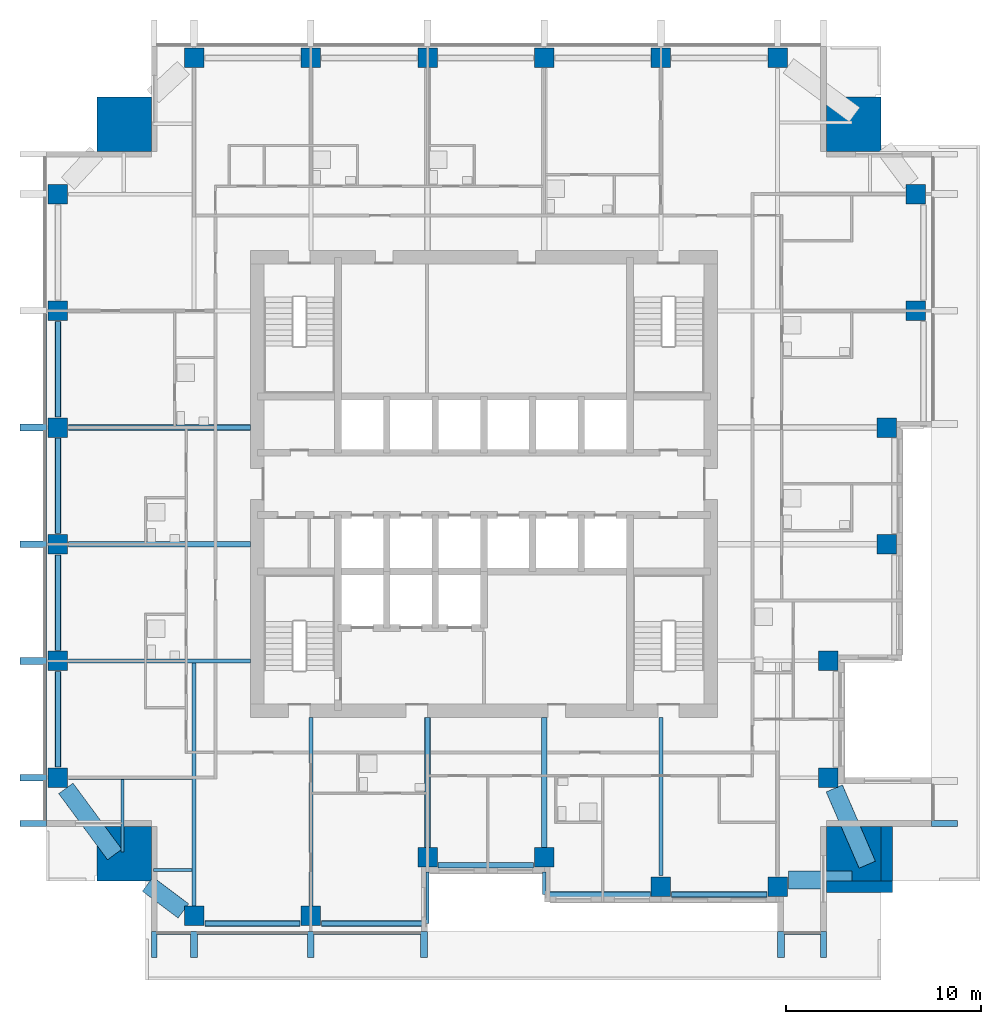
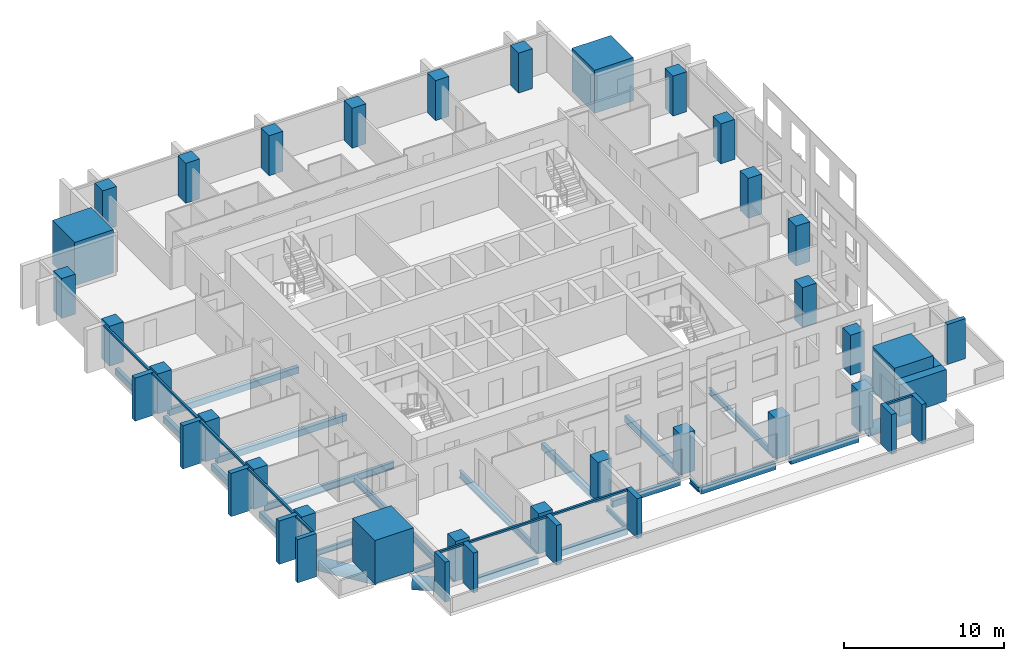
# One storey, part 1 of 14: 30 columns, 26 beams, 21 members, 4 elements without a shape of their own.
"""IFC4 building model written with IfcOpenShell, lengths in metres."""

from ifc_helpers import new_model, si_unit, direction, frame, origin, origin_2d, place, context, subcontext, project, spatial, rectangle, hollow_rectangle, hollow_circle, i_section, extrude, material, material_profile, profile_set, type_object, element, aggregate, save


model = new_model("IFC4")

# Units and contexts
model_context = context("Model", 3, precision=1e-05, world=origin(), true_north=direction((0.0, 1.0)))
body_context = subcontext(model_context, "Body", "Model", "MODEL_VIEW")
ifc_project = project(units=[si_unit("LENGTHUNIT", "METRE"), si_unit("AREAUNIT", "SQUARE_METRE"), si_unit("VOLUMEUNIT", "CUBIC_METRE"), si_unit("PLANEANGLEUNIT", "RADIAN"), si_unit("MASSUNIT", "GRAM", prefix="KILO")], contexts=[model_context])

# Site, building, storey
site_placement = place(None, origin())
site = spatial("IfcSite", under=ifc_project, at=site_placement, CompositionType="ELEMENT")
building_placement = place(site_placement, origin())
building = spatial("IfcBuilding", under=site, at=building_placement, Name="Amberfall Residences", CompositionType="ELEMENT")
storey_placement = place(building_placement, frame((0.0, 0.0, 133.89990234375)))
storey = spatial("IfcBuildingStorey", under=building, at=storey_placement, Name="L35", CompositionType="ELEMENT", Elevation=133.89990234375)

# Columns
ifc_material_1 = material(Name="Concrete C60", Category="concrete")
ifc_material_profile_1 = material_profile(ifc_material_1, rectangle(XDim=1.0, YDim=1.0, at=origin_2d()), Name="Column 1000 x 1000 C60")
ifc_profile_set_1 = profile_set([ifc_material_profile_1], Name="Concrete C60")
column_type_1 = type_object("IfcColumnType", Name="Column 1000 x 1000 C60", PredefinedType="COLUMN", material=ifc_profile_set_1)
for number, where, z_axis, x_axis, name in (
    (1, (59.60009765625, 23.300048828125, 0.0), (0.0, 0.0, 1.0), (1.0, 0.0, 0.0), "Column C3 L35 S1"),
    (2, (65.60009765625, 23.300048828125, 0.0), (0.0, 0.0, 1.0), (1.0, 0.0, 0.0), "Column C3 L35 S2"),
    (3, (71.60009765625, 26.300048828125, 0.0), (0.0, 0.0, 1.0), (1.0, 0.0, 0.0), "Column C3 L35 S3"),
    (4, (77.60009765625, 26.300048828125, 0.0), (0.0, 0.0, 1.0), (1.0, 0.0, 0.0), "Column C3 L35 S4"),
    (5, (83.60009765625, 24.800048828125, 0.0), (0.0, 0.0, 1.0), (1.0, 0.0, 0.0), "Column C3 L35 S5"),
    (6, (89.60009765625, 24.800048828125, 0.0), (0.0, 0.0, 1.0), (1.0, 0.0, 0.0), "Column C3 L35 S6"),
    (7, (92.199951171875, 30.39990234375, 0.0), (0.0, 0.0, 1.0), (1.0, 0.0, 0.0), "Column C3 L35 E1"),
    (8, (92.199951171875, 36.39990234375, 0.0), (0.0, 0.0, 1.0), (1.0, 0.0, 0.0), "Column C3 L35 E2"),
    (9, (95.199951171875, 42.39990234375, 0.0), (0.0, 0.0, 1.0), (1.0, 0.0, 0.0), "Column C3 L35 E3"),
    (10, (95.199951171875, 48.39990234375, 0.0), (0.0, 0.0, 1.0), (1.0, 0.0, 0.0), "Column C3 L35 E4"),
    (11, (96.699951171875, 54.39990234375, 0.0), (0.0, 0.0, 1.0), (1.0, 0.0, 0.0), "Column C3 L35 E5"),
    (12, (96.699951171875, 60.39990234375, 0.0), (0.0, 0.0, 1.0), (1.0, 0.0, 0.0), "Column C3 L35 E6"),
    (13, (59.60009765625, 67.39990234375, 0.0), (0.0, 0.0, 1.0), (1.0, 0.0, 0.0), "Column C3 L35 N1"),
    (14, (65.60009765625, 67.39990234375, 0.0), (0.0, 0.0, 1.0), (1.0, 0.0, 0.0), "Column C3 L35 N2"),
    (15, (71.60009765625, 67.39990234375, 0.0), (0.0, 0.0, 1.0), (1.0, 0.0, 0.0), "Column C3 L35 N3"),
    (16, (77.60009765625, 67.39990234375, 0.0), (0.0, 0.0, 1.0), (1.0, 0.0, 0.0), "Column C3 L35 N4"),
    (17, (83.60009765625, 67.39990234375, 0.0), (0.0, 0.0, 1.0), (1.0, 0.0, 0.0), "Column C3 L35 N5"),
    (18, (89.60009765625, 67.39990234375, 0.0), (0.0, 0.0, 1.0), (1.0, 0.0, 0.0), "Column C3 L35 N6"),
    (19, (52.60009765625, 30.39990234375, 0.0), (0.0, 0.0, 1.0), (1.0, 0.0, 0.0), "Column C3 L35 W1"),
    (20, (52.60009765625, 36.39990234375, 0.0), (0.0, 0.0, 1.0), (1.0, 0.0, 0.0), "Column C3 L35 W2"),
    (21, (52.60009765625, 42.39990234375, 0.0), (0.0, 0.0, 1.0), (1.0, 0.0, 0.0), "Column C3 L35 W3"),
    (22, (52.60009765625, 48.39990234375, 0.0), (0.0, 0.0, 1.0), (1.0, 0.0, 0.0), "Column C3 L35 W4"),
    (23, (52.60009765625, 54.39990234375, 0.0), (0.0, 0.0, 1.0), (1.0, 0.0, 0.0), "Column C3 L35 W5"),
    (24, (52.60009765625, 60.39990234375, 0.0), (0.0, 0.0, 1.0), (1.0, 0.0, 0.0), "Column C3 L35 W6"),
):
    element("IfcColumn", number, at=place(storey_placement, frame(where, z_axis=z_axis, x_axis=x_axis)), inside=storey, type_object=column_type_1, Name=name, PredefinedType="COLUMN", context=body_context, shape_type="SweptSolid", body=[
        extrude(rectangle(XDim=1.0, YDim=1.0, at=origin_2d()), origin(), (0.0, 0.0, 1.0), 3.050048828125),
    ])
ifc_material_2 = material(Name="Concrete C50", Category="concrete")
ifc_material_profile_2 = material_profile(ifc_material_2, rectangle(XDim=3.39990234375, YDim=0.60009765625, at=origin_2d()), Name="Mega collar 3400 x 600 C50")
ifc_profile_set_2 = profile_set([ifc_material_profile_2], Name="Concrete C50")
column_type_2 = type_object("IfcColumnType", Name="Mega collar 3400 x 600 C50", PredefinedType="COLUMN", material=ifc_profile_set_2)
column_1_placement = place(storey_placement, frame((93.800048828125, 24.800048828125, 0.0), z_axis=(0.0, 0.0, 1.0), x_axis=(1.0, 0.0, 0.0)))
element("IfcColumn", 25, at=column_1_placement, inside=storey, type_object=column_type_2, Name="Mega collar MC6 L35 SE a", PredefinedType="COLUMN", context=body_context, shape_type="SweptSolid", body=[
    extrude(rectangle(XDim=3.39990234375, YDim=0.60009765625, at=origin_2d()), origin(), (0.0, 0.0, 1.0), 2.400146484375),
])
ifc_material_profile_3 = material_profile(ifc_material_2, rectangle(XDim=0.60009765625, YDim=2.800048828125, at=origin_2d()), Name="Mega collar 600 x 2800 C50")
ifc_profile_set_3 = profile_set([ifc_material_profile_3], Name="Concrete C50")
column_type_3 = type_object("IfcColumnType", Name="Mega collar 600 x 2800 C50", PredefinedType="COLUMN", material=ifc_profile_set_3)
column_2_placement = place(storey_placement, frame((95.199951171875, 26.5, 0.0), z_axis=(0.0, 0.0, 1.0), x_axis=(1.0, 0.0, 0.0)))
element("IfcColumn", 26, at=column_2_placement, inside=storey, type_object=column_type_3, Name="Mega collar MC7 L35 SE b", PredefinedType="COLUMN", context=body_context, shape_type="SweptSolid", body=[
    extrude(rectangle(XDim=0.60009765625, YDim=2.800048828125, at=origin_2d()), origin(), (0.0, 0.0, 1.0), 2.400146484375),
])
ifc_material_profile_4 = material_profile(ifc_material_1, rectangle(XDim=2.800048828125, YDim=2.800048828125, at=origin_2d()), Name="Mega column 2800 x 2800 C60")
ifc_profile_set_4 = profile_set([ifc_material_profile_4], Name="Concrete C60")
column_type_4 = type_object("IfcColumnType", Name="Mega column 2800 x 2800 C60", PredefinedType="COLUMN", material=ifc_profile_set_4)
for number, where, z_axis, x_axis, name in (
    (27, (56.0, 26.5, 0.0), (0.0, 0.0, 1.0), (1.0, 0.0, 0.0), "Mega column MC5 L35 SW"),
    (28, (93.5, 26.5, 0.0), (0.0, 0.0, 1.0), (1.0, 0.0, 0.0), "Mega column MC5 L35 SE"),
    (29, (93.5, 64.0, 0.0), (0.0, 0.0, 1.0), (1.0, 0.0, 0.0), "Mega column MC5 L35 NE"),
    (30, (56.0, 64.0, 0.0), (0.0, 0.0, 1.0), (1.0, 0.0, 0.0), "Mega column MC5 L35 NW"),
):
    element("IfcColumn", number, at=place(storey_placement, frame(where, z_axis=z_axis, x_axis=x_axis)), inside=storey, type_object=column_type_4, Name=name, PredefinedType="COLUMN", context=body_context, shape_type="SweptSolid", body=[
        extrude(rectangle(XDim=2.800048828125, YDim=2.800048828125, at=origin_2d()), origin(), (0.0, 0.0, 1.0), 3.300048828125),
    ])

# Beams
ifc_material_3 = material(Name="Steel S355", Category="steel")
ifc_material_profile_5 = material_profile(ifc_material_3, hollow_circle(Radius=0.457275390625, WallThickness=0.06005859375, at=origin_2d()), Name="CHS 914.4x60")
ifc_profile_set_5 = profile_set([ifc_material_profile_5], Name="Steel S355")
beam_type_1 = type_object("IfcBeamType", Name="Belt truss chord BT CHS 914.4x60", PredefinedType="BEAM", material=ifc_profile_set_5)
beam_1_placement = place(storey_placement, frame((57.2119140625, 24.92724609375, -0.70703125), z_axis=(0.799987249325, -0.600017000523, 0.0), x_axis=(0.600017000523, 0.799987249325, 0.0)))
element("IfcBeam", 31, at=beam_1_placement, inside=storey, type_object=beam_type_1, Name="Belt truss chord BT BT2 L35 49", PredefinedType="BEAM", context=body_context, shape_type="SweptSolid", body=[
    extrude(hollow_circle(Radius=0.457275390625, WallThickness=0.06005859375, at=origin_2d()), origin(), (0.0, 0.0, 1.0), 2.297607421875),
])
beam_2_placement = place(storey_placement, frame((55.517333984375, 26.4501953125, -0.70703125), z_axis=(-0.594124680474, 0.804372963278, 0.0), x_axis=(-0.804372963278, -0.594124680474, 0.0)))
element("IfcBeam", 32, at=beam_2_placement, inside=storey, type_object=beam_type_1, Name="Belt truss chord BT BT2 L35 50", PredefinedType="BEAM", context=body_context, shape_type="SweptSolid", body=[
    extrude(hollow_circle(Radius=0.457275390625, WallThickness=0.06005859375, at=origin_2d()), origin(), (0.0, 0.0, 1.0), 4.226806640625),
])
beam_3_placement = place(storey_placement, frame((93.4228515625, 25.14453125, -0.70703125), z_axis=(-1.0, 0.0, 0.0), x_axis=(0.0, -1.0, 0.0)))
element("IfcBeam", 33, at=beam_3_placement, inside=storey, type_object=beam_type_1, Name="Belt truss chord BT BT2 L35 51", PredefinedType="BEAM", context=body_context, shape_type="SweptSolid", body=[
    extrude(hollow_circle(Radius=0.457275390625, WallThickness=0.06005859375, at=origin_2d()), origin(), (0.0, 0.0, 1.0), 3.27294921875),
])
beam_4_placement = place(storey_placement, frame((94.20458984375, 25.926513671875, -0.70703125), z_axis=(-0.39668874553, 0.917953179182, 0.0), x_axis=(-0.917953179182, -0.39668874553, 0.0)))
element("IfcBeam", 34, at=beam_4_placement, inside=storey, type_object=beam_type_1, Name="Belt truss chord BT BT2 L35 52", PredefinedType="BEAM", context=body_context, shape_type="SweptSolid", body=[
    extrude(hollow_circle(Radius=0.457275390625, WallThickness=0.06005859375, at=origin_2d()), origin(), (0.0, 0.0, 1.0), 4.274169921875),
])
ifc_material_profile_6 = material_profile(ifc_material_3, hollow_rectangle(XDim=0.300048828125, YDim=0.5, WallThickness=0.01611328125, InnerFilletRadius=0.01611328125, OuterFilletRadius=0.02392578125, at=origin_2d()), Name="RHS 500x300x16")
ifc_profile_set_6 = profile_set([ifc_material_profile_6], Name="Steel S355")
beam_type_2 = type_object("IfcBeamType", Name="Belt truss chord BT RHS 500x300x16", PredefinedType="BEAM", material=ifc_profile_set_6)
beam_5_placement = place(storey_placement, frame((60.14990234375, 22.89990234375, -0.5), z_axis=(1.0, 0.0, 0.0), x_axis=(0.0, 1.0, 0.0)))
element("IfcBeam", 35, at=beam_5_placement, inside=storey, type_object=beam_type_2, Name="Belt truss chord BT BT1 L35 01", PredefinedType="BEAM", context=body_context, shape_type="SweptSolid", body=[
    extrude(hollow_rectangle(XDim=0.300048828125, YDim=0.5, WallThickness=0.01611328125, InnerFilletRadius=0.01611328125, OuterFilletRadius=0.02392578125, at=origin_2d()), origin(), (0.0, 0.0, 1.0), 4.900146484375),
])
beam_6_placement = place(storey_placement, frame((66.14990234375, 22.89990234375, -0.5), z_axis=(1.0, 0.0, 0.0), x_axis=(0.0, 1.0, 0.0)))
element("IfcBeam", 36, at=beam_6_placement, inside=storey, type_object=beam_type_2, Name="Belt truss chord BT BT1 L35 02", PredefinedType="BEAM", context=body_context, shape_type="SweptSolid", body=[
    extrude(hollow_rectangle(XDim=0.300048828125, YDim=0.5, WallThickness=0.01611328125, InnerFilletRadius=0.01611328125, OuterFilletRadius=0.02392578125, at=origin_2d()), origin(), (0.0, 0.0, 1.0), 5.3701171875),
])
beam_7_placement = place(storey_placement, frame((72.14990234375, 25.89990234375, -0.5), z_axis=(1.0, 0.0, 0.0), x_axis=(0.0, 1.0, 0.0)))
element("IfcBeam", 37, at=beam_7_placement, inside=storey, type_object=beam_type_2, Name="Belt truss chord BT BT1 L35 03", PredefinedType="BEAM", context=body_context, shape_type="SweptSolid", body=[
    extrude(hollow_rectangle(XDim=0.300048828125, YDim=0.5, WallThickness=0.01611328125, InnerFilletRadius=0.01611328125, OuterFilletRadius=0.02392578125, at=origin_2d()), origin(), (0.0, 0.0, 1.0), 4.900146484375),
])
beam_8_placement = place(storey_placement, frame((77.679931640625, 24.39990234375, -0.5), z_axis=(1.0, 0.0, 0.0), x_axis=(0.0, 1.0, 0.0)))
element("IfcBeam", 38, at=beam_8_placement, inside=storey, type_object=beam_type_2, Name="Belt truss chord BT BT1 L35 04", PredefinedType="BEAM", context=body_context, shape_type="SweptSolid", body=[
    extrude(hollow_rectangle(XDim=0.300048828125, YDim=0.5, WallThickness=0.01611328125, InnerFilletRadius=0.01611328125, OuterFilletRadius=0.02392578125, at=origin_2d()), origin(), (0.0, 0.0, 1.0), 5.3701171875),
])
for number, where, z_axis, x_axis, name in (
    (39, (84.14990234375, 24.39990234375, -0.5), (1.0, 0.0, 0.0), (0.0, 1.0, 0.0), "Belt truss chord BT BT1 L35 05"),
    (40, (52.60009765625, 30.949951171875, -0.5), (0.0, 1.0, 0.0), (-1.0, 0.0, 0.0), "Belt truss chord BT BT1 L35 38"),
    (41, (52.60009765625, 36.949951171875, -0.5), (0.0, 1.0, 0.0), (-1.0, 0.0, 0.0), "Belt truss chord BT BT1 L35 39"),
    (42, (52.60009765625, 42.949951171875, -0.5), (0.0, 1.0, 0.0), (-1.0, 0.0, 0.0), "Belt truss chord BT BT1 L35 40"),
    (43, (52.60009765625, 48.949951171875, -0.5), (0.0, 1.0, 0.0), (-1.0, 0.0, 0.0), "Belt truss chord BT BT1 L35 41"),
):
    element("IfcBeam", number, at=place(storey_placement, frame(where, z_axis=z_axis, x_axis=x_axis)), inside=storey, type_object=beam_type_2, Name=name, PredefinedType="BEAM", context=body_context, shape_type="SweptSolid", body=[
        extrude(hollow_rectangle(XDim=0.300048828125, YDim=0.5, WallThickness=0.01611328125, InnerFilletRadius=0.01611328125, OuterFilletRadius=0.02392578125, at=origin_2d()), origin(), (0.0, 0.0, 1.0), 4.900146484375),
    ])

# Curtain wall, members
ifc_material_4 = material(Name="Bronze anodised aluminium and glass", Category="aluminium")
curtain_wall_type = type_object("IfcCurtainWallType", Name="Curtain wall CW1 tower unit", PredefinedType="USERDEFINED", material=ifc_material_4)
curtain_wall_1_placement = place(storey_placement, origin())
curtain_wall_1 = element("IfcCurtainWall", 44, at=curtain_wall_1_placement, inside=storey, type_object=curtain_wall_type, Name="Curtain wall L35 S S1", ObjectType="UNITISED CURTAIN WALL", PredefinedType="USERDEFINED")
ifc_material_5 = material(Name="Bronze anodised aluminium", Category="aluminium")
ifc_material_profile_7 = material_profile(ifc_material_5, rectangle(XDim=0.14990234375, YDim=0.14990234375, at=origin_2d()), Name="CW1 transom 150 x 150 bronze")
ifc_profile_set_7 = profile_set([ifc_material_profile_7], Name="Bronze anodised aluminium")
member_type_1 = type_object("IfcMemberType", Name="CW1 transom 150 x 150 bronze", PredefinedType="USERDEFINED", material=ifc_profile_set_7)
member_1_placement = place(storey_placement, frame((57.699951171875, 22.425048828125, 2.97509765625), z_axis=(1.0, 0.0, 0.0), x_axis=(0.0, 1.0, 0.0)))
member_1 = element("IfcMember", 45, at=member_1_placement, type_object=member_type_1, Name="CW1 transom 1.1", ObjectType="TRANSOM", PredefinedType="USERDEFINED", context=body_context, shape_type="SweptSolid", body=[
    extrude(rectangle(XDim=0.14990234375, YDim=0.14990234375, at=origin_2d()), origin(), (0.0, 0.0, 1.0), 1.72509765625),
])
member_2_placement = place(storey_placement, frame((59.77490234375, 22.425048828125, 2.97509765625), z_axis=(1.0, 0.0, 0.0), x_axis=(0.0, 1.0, 0.0)))
member_2 = element("IfcMember", 46, at=member_2_placement, type_object=member_type_1, Name="CW1 transom 2.1", ObjectType="TRANSOM", PredefinedType="USERDEFINED", context=body_context, shape_type="SweptSolid", body=[
    extrude(rectangle(XDim=0.14990234375, YDim=0.14990234375, at=origin_2d()), origin(), (0.0, 0.0, 1.0), 5.650146484375),
])
member_3_placement = place(storey_placement, frame((65.77490234375, 22.425048828125, 2.97509765625), z_axis=(1.0, 0.0, 0.0), x_axis=(0.0, 1.0, 0.0)))
member_3 = element("IfcMember", 47, at=member_3_placement, type_object=member_type_1, Name="CW1 transom 3.1", ObjectType="TRANSOM", PredefinedType="USERDEFINED", context=body_context, shape_type="SweptSolid", body=[
    extrude(rectangle(XDim=0.14990234375, YDim=0.14990234375, at=origin_2d()), origin(), (0.0, 0.0, 1.0), 5.47509765625),
])

# Curtain wall, member
curtain_wall_2_placement = place(storey_placement, origin())
curtain_wall_2 = element("IfcCurtainWall", 48, at=curtain_wall_2_placement, inside=storey, type_object=curtain_wall_type, Name="Curtain wall L35 S S8", ObjectType="UNITISED CURTAIN WALL", PredefinedType="USERDEFINED")
member_4_placement = place(storey_placement, frame((89.949951171875, 22.425048828125, 2.97509765625), z_axis=(1.0, 0.0, 0.0), x_axis=(0.0, 1.0, 0.0)))
member_4 = element("IfcMember", 49, at=member_4_placement, type_object=member_type_1, Name="CW1 transom 1.1", ObjectType="TRANSOM", PredefinedType="USERDEFINED", context=body_context, shape_type="SweptSolid", body=[
    extrude(rectangle(XDim=0.14990234375, YDim=0.14990234375, at=origin_2d()), origin(), (0.0, 0.0, 1.0), 1.85009765625),
])

# Curtain wall, members
curtain_wall_3_placement = place(storey_placement, origin())
curtain_wall_3 = element("IfcCurtainWall", 50, at=curtain_wall_3_placement, inside=storey, type_object=curtain_wall_type, Name="Curtain wall L35 W W1", ObjectType="UNITISED CURTAIN WALL", PredefinedType="USERDEFINED")
member_5_placement = place(storey_placement, frame((51.925048828125, 54.22509765625, 2.97509765625), z_axis=(0.0, -1.0, 0.0), x_axis=(1.0, 0.0, 0.0)))
member_5 = element("IfcMember", 51, at=member_5_placement, type_object=member_type_1, Name="CW1 transom 3.1", ObjectType="TRANSOM", PredefinedType="USERDEFINED", context=body_context, shape_type="SweptSolid", body=[
    extrude(rectangle(XDim=0.14990234375, YDim=0.14990234375, at=origin_2d()), origin(), (0.0, 0.0, 1.0), 5.650146484375),
])
member_6_placement = place(storey_placement, frame((51.925048828125, 48.22509765625, 2.97509765625), z_axis=(0.0, -1.0, 0.0), x_axis=(1.0, 0.0, 0.0)))
member_6 = element("IfcMember", 52, at=member_6_placement, type_object=member_type_1, Name="CW1 transom 4.1", ObjectType="TRANSOM", PredefinedType="USERDEFINED", context=body_context, shape_type="SweptSolid", body=[
    extrude(rectangle(XDim=0.14990234375, YDim=0.14990234375, at=origin_2d()), origin(), (0.0, 0.0, 1.0), 5.650146484375),
])
member_7_placement = place(storey_placement, frame((51.925048828125, 42.22509765625, 2.97509765625), z_axis=(0.0, -1.0, 0.0), x_axis=(1.0, 0.0, 0.0)))
member_7 = element("IfcMember", 53, at=member_7_placement, type_object=member_type_1, Name="CW1 transom 5.1", ObjectType="TRANSOM", PredefinedType="USERDEFINED", context=body_context, shape_type="SweptSolid", body=[
    extrude(rectangle(XDim=0.14990234375, YDim=0.14990234375, at=origin_2d()), origin(), (0.0, 0.0, 1.0), 5.650146484375),
])
member_8_placement = place(storey_placement, frame((51.925048828125, 36.22509765625, 2.97509765625), z_axis=(0.0, -1.0, 0.0), x_axis=(1.0, 0.0, 0.0)))
member_8 = element("IfcMember", 54, at=member_8_placement, type_object=member_type_1, Name="CW1 transom 6.1", ObjectType="TRANSOM", PredefinedType="USERDEFINED", context=body_context, shape_type="SweptSolid", body=[
    extrude(rectangle(XDim=0.14990234375, YDim=0.14990234375, at=origin_2d()), origin(), (0.0, 0.0, 1.0), 5.650146484375),
])
member_9_placement = place(storey_placement, frame((51.925048828125, 30.22509765625, 2.97509765625), z_axis=(0.0, -1.0, 0.0), x_axis=(1.0, 0.0, 0.0)))
member_9 = element("IfcMember", 55, at=member_9_placement, type_object=member_type_1, Name="CW1 transom 7.1", ObjectType="TRANSOM", PredefinedType="USERDEFINED", context=body_context, shape_type="SweptSolid", body=[
    extrude(rectangle(XDim=0.14990234375, YDim=0.14990234375, at=origin_2d()), origin(), (0.0, 0.0, 1.0), 2.025146484375),
])

# Beams
ifc_material_profile_8 = material_profile(ifc_material_3, i_section(OverallWidth=0.171142578125, OverallDepth=0.351318359375, WebThickness=0.007080078125, FlangeThickness=0.009765625, FilletRadius=0.01025390625, at=origin_2d()), Name="UB 356x171x45")
ifc_profile_set_8 = profile_set([ifc_material_profile_8], Name="Steel S355")
beam_type_3 = type_object("IfcBeamType", Name="Cantilever girder UB 356x171x45", PredefinedType="BEAM", material=ifc_profile_set_8)
beam_9_placement = place(storey_placement, frame((71.60009765625, 25.55322265625, -0.425537109375), z_axis=(0.0, -1.0, 0.0), x_axis=(1.0, 0.0, 0.0)))
element("IfcBeam", 56, at=beam_9_placement, inside=storey, type_object=beam_type_3, Name="Cantilever girder B8 L35 06", PredefinedType="BEAM", context=body_context, shape_type="SweptSolid", body=[
    extrude(i_section(OverallWidth=0.171142578125, OverallDepth=0.351318359375, WebThickness=0.007080078125, FlangeThickness=0.009765625, FilletRadius=0.01025390625, at=origin_2d()), origin(), (0.0, 0.0, 1.0), 2.6533203125),
])
beam_10_placement = place(storey_placement, frame((77.60009765625, 25.55322265625, -0.425537109375), z_axis=(0.0, -1.0, 0.0), x_axis=(1.0, 0.0, 0.0)))
element("IfcBeam", 57, at=beam_10_placement, inside=storey, type_object=beam_type_3, Name="Cantilever girder B8 L35 07", PredefinedType="BEAM", context=body_context, shape_type="SweptSolid", body=[
    extrude(i_section(OverallWidth=0.171142578125, OverallDepth=0.351318359375, WebThickness=0.007080078125, FlangeThickness=0.009765625, FilletRadius=0.01025390625, at=origin_2d()), origin(), (0.0, 0.0, 1.0), 1.1533203125),
])

# Member
ifc_material_profile_9 = material_profile(ifc_material_5, rectangle(XDim=1.35009765625, YDim=0.300048828125, at=origin_2d()), Name="Corner fin 300 x 1350 bronze")
ifc_profile_set_9 = profile_set([ifc_material_profile_9], Name="Bronze anodised aluminium")
member_type_2 = type_object("IfcMemberType", Name="Corner fin 300 x 1350 bronze", PredefinedType="MULLION", material=ifc_profile_set_9)
member_10_placement = place(storey_placement, frame((57.550048828125, 21.824951171875, 0.0), z_axis=(0.0, 0.0, 1.0), x_axis=(0.0, 1.0, 0.0)))
member_10 = element("IfcMember", 58, at=member_10_placement, type_object=member_type_2, Name="CW FIN 1", PredefinedType="MULLION", context=body_context, shape_type="SweptSolid", body=[
    extrude(rectangle(XDim=1.35009765625, YDim=0.300048828125, at=origin_2d()), origin(), (0.0, 0.0, 1.0), 3.050048828125),
])

member_11_placement = place(storey_placement, frame((91.949951171875, 21.824951171875, 0.0), z_axis=(0.0, 0.0, 1.0), x_axis=(0.0, 1.0, 0.0)))
member_11 = element("IfcMember", 59, at=member_11_placement, type_object=member_type_2, Name="CW FIN 2", PredefinedType="MULLION", context=body_context, shape_type="SweptSolid", body=[
    extrude(rectangle(XDim=1.35009765625, YDim=0.300048828125, at=origin_2d()), origin(), (0.0, 0.0, 1.0), 3.050048828125),
])

# Curtain wall, member
curtain_wall_4_placement = place(storey_placement, origin())
curtain_wall_4 = element("IfcCurtainWall", 60, at=curtain_wall_4_placement, inside=storey, type_object=curtain_wall_type, Name="Curtain wall L35 E E1", ObjectType="UNITISED CURTAIN WALL", PredefinedType="USERDEFINED")
member_12_placement = place(storey_placement, frame((98.175048828125, 28.050048828125, 0.0), z_axis=(0.0, 0.0, 1.0), x_axis=(-1.0, 0.0, 0.0)))
member_12 = element("IfcMember", 61, at=member_12_placement, type_object=member_type_2, Name="CW FIN 1", PredefinedType="MULLION", context=body_context, shape_type="SweptSolid", body=[
    extrude(rectangle(XDim=1.35009765625, YDim=0.300048828125, at=origin_2d()), origin(), (0.0, 0.0, 1.0), 3.050048828125),
])
aggregate(curtain_wall_4, [member_12])

# Member
member_13_placement = place(storey_placement, frame((51.324951171875, 28.050048828125, -0.25), z_axis=(0.0, 0.0, 1.0), x_axis=(1.0, 0.0, 0.0)))
member_13 = element("IfcMember", 62, at=member_13_placement, type_object=member_type_2, Name="CW FIN 8", PredefinedType="MULLION", context=body_context, shape_type="SweptSolid", body=[
    extrude(rectangle(XDim=1.35009765625, YDim=0.300048828125, at=origin_2d()), origin(), (0.0, 0.0, 1.0), 3.300048828125),
])

ifc_material_profile_10 = material_profile(ifc_material_5, rectangle(XDim=1.35009765625, YDim=0.35009765625, at=origin_2d()), Name="Fin 350 x 1350 bronze")
ifc_profile_set_10 = profile_set([ifc_material_profile_10], Name="Bronze anodised aluminium")
member_type_3 = type_object("IfcMemberType", Name="Fin 350 x 1350 bronze", PredefinedType="MULLION", material=ifc_profile_set_10)
member_14_placement = place(storey_placement, frame((59.60009765625, 21.824951171875, 0.0), z_axis=(0.0, 0.0, 1.0), x_axis=(0.0, 1.0, 0.0)))
member_14 = element("IfcMember", 63, at=member_14_placement, type_object=member_type_3, Name="CW FIN 2", PredefinedType="MULLION", context=body_context, shape_type="SweptSolid", body=[
    extrude(rectangle(XDim=1.35009765625, YDim=0.35009765625, at=origin_2d()), origin(), (0.0, 0.0, 1.0), 3.050048828125),
])

member_15_placement = place(storey_placement, frame((65.60009765625, 21.824951171875, 0.0), z_axis=(0.0, 0.0, 1.0), x_axis=(0.0, 1.0, 0.0)))
member_15 = element("IfcMember", 64, at=member_15_placement, type_object=member_type_3, Name="CW FIN 3", PredefinedType="MULLION", context=body_context, shape_type="SweptSolid", body=[
    extrude(rectangle(XDim=1.35009765625, YDim=0.35009765625, at=origin_2d()), origin(), (0.0, 0.0, 1.0), 3.050048828125),
])

member_16_placement = place(storey_placement, frame((71.425048828125, 21.824951171875, 0.0), z_axis=(0.0, 0.0, 1.0), x_axis=(0.0, 1.0, 0.0)))
member_16 = element("IfcMember", 65, at=member_16_placement, type_object=member_type_3, Name="CW FIN 4", PredefinedType="MULLION", context=body_context, shape_type="SweptSolid", body=[
    extrude(rectangle(XDim=1.35009765625, YDim=0.35009765625, at=origin_2d()), origin(), (0.0, 0.0, 1.0), 3.050048828125),
])

aggregate(curtain_wall_1, [member_10, member_14, member_15, member_16, member_1, member_2, member_3])

member_17_placement = place(storey_placement, frame((89.77490234375, 21.824951171875, 0.0), z_axis=(0.0, 0.0, 1.0), x_axis=(0.0, 1.0, 0.0)))
member_17 = element("IfcMember", 66, at=member_17_placement, type_object=member_type_3, Name="CW FIN 1", PredefinedType="MULLION", context=body_context, shape_type="SweptSolid", body=[
    extrude(rectangle(XDim=1.35009765625, YDim=0.35009765625, at=origin_2d()), origin(), (0.0, 0.0, 1.0), 3.050048828125),
])

aggregate(curtain_wall_2, [member_17, member_11, member_4])

member_18_placement = place(storey_placement, frame((51.324951171875, 48.39990234375, -0.25), z_axis=(0.0, 0.0, 1.0), x_axis=(1.0, 0.0, 0.0)))
member_18 = element("IfcMember", 67, at=member_18_placement, type_object=member_type_3, Name="CW FIN 4", PredefinedType="MULLION", context=body_context, shape_type="SweptSolid", body=[
    extrude(rectangle(XDim=1.35009765625, YDim=0.35009765625, at=origin_2d()), origin(), (0.0, 0.0, 1.0), 3.300048828125),
])

member_19_placement = place(storey_placement, frame((51.324951171875, 42.39990234375, -0.25), z_axis=(0.0, 0.0, 1.0), x_axis=(1.0, 0.0, 0.0)))
member_19 = element("IfcMember", 68, at=member_19_placement, type_object=member_type_3, Name="CW FIN 5", PredefinedType="MULLION", context=body_context, shape_type="SweptSolid", body=[
    extrude(rectangle(XDim=1.35009765625, YDim=0.35009765625, at=origin_2d()), origin(), (0.0, 0.0, 1.0), 3.300048828125),
])

member_20_placement = place(storey_placement, frame((51.324951171875, 36.39990234375, -0.25), z_axis=(0.0, 0.0, 1.0), x_axis=(1.0, 0.0, 0.0)))
member_20 = element("IfcMember", 69, at=member_20_placement, type_object=member_type_3, Name="CW FIN 6", PredefinedType="MULLION", context=body_context, shape_type="SweptSolid", body=[
    extrude(rectangle(XDim=1.35009765625, YDim=0.35009765625, at=origin_2d()), origin(), (0.0, 0.0, 1.0), 3.300048828125),
])

member_21_placement = place(storey_placement, frame((51.324951171875, 30.39990234375, -0.25), z_axis=(0.0, 0.0, 1.0), x_axis=(1.0, 0.0, 0.0)))
member_21 = element("IfcMember", 70, at=member_21_placement, type_object=member_type_3, Name="CW FIN 7", PredefinedType="MULLION", context=body_context, shape_type="SweptSolid", body=[
    extrude(rectangle(XDim=1.35009765625, YDim=0.35009765625, at=origin_2d()), origin(), (0.0, 0.0, 1.0), 3.300048828125),
])

aggregate(curtain_wall_3, [member_18, member_19, member_20, member_21, member_13, member_5, member_6, member_7, member_8, member_9])

# Beams
ifc_material_profile_11 = material_profile(ifc_material_3, i_section(OverallWidth=0.177734375, OverallDepth=0.402587890625, WebThickness=0.0078125, FlangeThickness=0.010986328125, FilletRadius=0.01025390625, at=origin_2d()), Name="UB 406x178x54")
ifc_profile_set_11 = profile_set([ifc_material_profile_11], Name="Steel S355")
beam_type_4 = type_object("IfcBeamType", Name="Floor girder UB 406x178x54", PredefinedType="BEAM", material=ifc_profile_set_11)
beam_11_placement = place(storey_placement, frame((53.14990234375, 30.39990234375, -0.451171875), z_axis=(1.0, 0.0, 0.0), x_axis=(0.0, 1.0, 0.0)))
element("IfcBeam", 71, at=beam_11_placement, inside=storey, type_object=beam_type_4, Name="Floor girder B4 L35 43", PredefinedType="BEAM", context=body_context, shape_type="SweptSolid", body=[
    extrude(i_section(OverallWidth=0.177734375, OverallDepth=0.402587890625, WebThickness=0.0078125, FlangeThickness=0.010986328125, FilletRadius=0.01025390625, at=origin_2d()), origin(), (0.0, 0.0, 1.0), 6.330078125),
])
ifc_material_profile_12 = material_profile(ifc_material_3, i_section(OverallWidth=0.19140625, OverallDepth=0.4599609375, WebThickness=0.010009765625, FlangeThickness=0.01611328125, FilletRadius=0.01025390625, at=origin_2d()), Name="UB 457x191x82")
ifc_profile_set_12 = profile_set([ifc_material_profile_12], Name="Steel S355")
beam_type_5 = type_object("IfcBeamType", Name="Floor girder UB 457x191x82", PredefinedType="BEAM", material=ifc_profile_set_12)
beam_12_placement = place(storey_placement, frame((83.60009765625, 25.381591796875, -0.47998046875), z_axis=(0.0, 1.0, 0.0), x_axis=(-1.0, 0.0, 0.0)))
element("IfcBeam", 72, at=beam_12_placement, inside=storey, type_object=beam_type_5, Name="Floor girder B10 L35 12", PredefinedType="BEAM", context=body_context, shape_type="SweptSolid", body=[
    extrude(i_section(OverallWidth=0.19140625, OverallDepth=0.4599609375, WebThickness=0.010009765625, FlangeThickness=0.01611328125, FilletRadius=0.01025390625, at=origin_2d()), origin(), (0.0, 0.0, 1.0), 8.118408203125),
])
ifc_material_profile_13 = material_profile(ifc_material_3, i_section(OverallWidth=0.210693359375, OverallDepth=0.53955078125, WebThickness=0.01171875, FlangeThickness=0.018798828125, FilletRadius=0.0126953125, at=origin_2d()), Name="UB 533x210x109")
ifc_profile_set_13 = profile_set([ifc_material_profile_13], Name="Steel S355")
beam_type_6 = type_object("IfcBeamType", Name="Floor girder UB 533x210x109", PredefinedType="BEAM", material=ifc_profile_set_13)
beam_13_placement = place(storey_placement, frame((59.60009765625, 23.760009765625, -0.51953125), z_axis=(0.0, 1.0, 0.0), x_axis=(-1.0, 0.0, 0.0)))
element("IfcBeam", 73, at=beam_13_placement, inside=storey, type_object=beam_type_6, Name="Floor girder B2 L35 08", PredefinedType="BEAM", context=body_context, shape_type="SweptSolid", body=[
    extrude(i_section(OverallWidth=0.210693359375, OverallDepth=0.53955078125, WebThickness=0.01171875, FlangeThickness=0.018798828125, FilletRadius=0.0126953125, at=origin_2d()), origin(), (0.0, 0.0, 1.0), 12.540283203125),
])
ifc_material_profile_14 = material_profile(ifc_material_3, i_section(OverallWidth=0.209228515625, OverallDepth=0.533203125, WebThickness=0.010009765625, FlangeThickness=0.015625, FilletRadius=0.0126953125, at=origin_2d()), Name="UB 533x210x92")
ifc_profile_set_14 = profile_set([ifc_material_profile_14], Name="Steel S355")
beam_type_7 = type_object("IfcBeamType", Name="Floor girder UB 533x210x92", PredefinedType="BEAM", material=ifc_profile_set_14)
beam_14_placement = place(storey_placement, frame((65.60009765625, 23.802001953125, -0.516357421875), z_axis=(0.0, 1.0, 0.0), x_axis=(-1.0, 0.0, 0.0)))
element("IfcBeam", 74, at=beam_14_placement, inside=storey, type_object=beam_type_7, Name="Floor girder B3 L35 09", PredefinedType="BEAM", context=body_context, shape_type="SweptSolid", body=[
    extrude(i_section(OverallWidth=0.209228515625, OverallDepth=0.533203125, WebThickness=0.010009765625, FlangeThickness=0.015625, FilletRadius=0.0126953125, at=origin_2d()), origin(), (0.0, 0.0, 1.0), 9.697998046875),
])
beam_15_placement = place(storey_placement, frame((53.14990234375, 36.39990234375, -0.516357421875), z_axis=(1.0, 0.0, 0.0), x_axis=(0.0, 1.0, 0.0)))
element("IfcBeam", 75, at=beam_15_placement, inside=storey, type_object=beam_type_7, Name="Floor girder B3 L35 44", PredefinedType="BEAM", context=body_context, shape_type="SweptSolid", body=[
    extrude(i_section(OverallWidth=0.209228515625, OverallDepth=0.533203125, WebThickness=0.010009765625, FlangeThickness=0.015625, FilletRadius=0.0126953125, at=origin_2d()), origin(), (0.0, 0.0, 1.0), 9.35009765625),
])
ifc_material_profile_15 = material_profile(ifc_material_3, i_section(OverallWidth=0.171142578125, OverallDepth=0.351318359375, WebThickness=0.007080078125, FlangeThickness=0.009765625, FilletRadius=0.01025390625, at=origin_2d()), Name="UB 356x171x45")
ifc_profile_set_15 = profile_set([ifc_material_profile_15], Name="Steel S355")
beam_type_8 = type_object("IfcBeamType", Name="Link beam UB 356x171x45", PredefinedType="BEAM", material=ifc_profile_set_15)
beam_16_placement = place(storey_placement, frame((57.501220703125, 25.654541015625, -0.425537109375), z_axis=(1.0, 0.0, 0.0), x_axis=(0.0, 1.0, 0.0)))
element("IfcBeam", 76, at=beam_16_placement, inside=storey, type_object=beam_type_8, Name="Link beam B7 L35 57", PredefinedType="BEAM", context=body_context, shape_type="SweptSolid", body=[
    extrude(i_section(OverallWidth=0.171142578125, OverallDepth=0.351318359375, WebThickness=0.007080078125, FlangeThickness=0.009765625, FilletRadius=0.01025390625, at=origin_2d()), origin(), (0.0, 0.0, 1.0), 1.99365234375),
])
beam_17_placement = place(storey_placement, frame((55.91943359375, 26.59033203125, -0.425537109375), z_axis=(0.0, 1.0, 0.0), x_axis=(-1.0, 0.0, 0.0)))
element("IfcBeam", 77, at=beam_17_placement, inside=storey, type_object=beam_type_8, Name="Link beam B7 L35 58", PredefinedType="BEAM", context=body_context, shape_type="SweptSolid", body=[
    extrude(i_section(OverallWidth=0.171142578125, OverallDepth=0.351318359375, WebThickness=0.007080078125, FlangeThickness=0.009765625, FilletRadius=0.01025390625, at=origin_2d()), origin(), (0.0, 0.0, 1.0), 3.70458984375),
])
ifc_material_profile_16 = material_profile(ifc_material_3, hollow_rectangle(XDim=0.300048828125, YDim=0.5, WallThickness=0.01611328125, InnerFilletRadius=0.01611328125, OuterFilletRadius=0.02392578125, at=origin_2d()), Name="RHS 500x300x16")
ifc_profile_set_16 = profile_set([ifc_material_profile_16], Name="Steel S355")
beam_type_9 = type_object("IfcBeamType", Name="Outrigger truss chord OT RHS 500x300x16", PredefinedType="BEAM", material=ifc_profile_set_16)
for number, where, z_axis, x_axis, name in (
    (78, (71.60009765625, 26.756591796875, -0.5), (0.0, 1.0, 0.0), (-1.0, 0.0, 0.0), "Outrigger truss chord OT OT1 L35 10"),
    (79, (77.60009765625, 26.756591796875, -0.5), (0.0, 1.0, 0.0), (-1.0, 0.0, 0.0), "Outrigger truss chord OT OT1 L35 11"),
):
    element("IfcBeam", number, at=place(storey_placement, frame(where, z_axis=z_axis, x_axis=x_axis)), inside=storey, type_object=beam_type_9, Name=name, PredefinedType="BEAM", context=body_context, shape_type="SweptSolid", body=[
        extrude(hollow_rectangle(XDim=0.300048828125, YDim=0.5, WallThickness=0.01611328125, InnerFilletRadius=0.01611328125, OuterFilletRadius=0.02392578125, at=origin_2d()), origin(), (0.0, 0.0, 1.0), 6.743408203125),
    ])
for number, where, z_axis, x_axis, name in (
    (80, (53.14990234375, 42.39990234375, -0.5), (1.0, 0.0, 0.0), (0.0, 1.0, 0.0), "Outrigger truss chord OT OT1 L35 45"),
    (81, (53.14990234375, 48.39990234375, -0.5), (1.0, 0.0, 0.0), (0.0, 1.0, 0.0), "Outrigger truss chord OT OT1 L35 46"),
):
    element("IfcBeam", number, at=place(storey_placement, frame(where, z_axis=z_axis, x_axis=x_axis)), inside=storey, type_object=beam_type_9, Name=name, PredefinedType="BEAM", context=body_context, shape_type="SweptSolid", body=[
        extrude(hollow_rectangle(XDim=0.300048828125, YDim=0.5, WallThickness=0.01611328125, InnerFilletRadius=0.01611328125, OuterFilletRadius=0.02392578125, at=origin_2d()), origin(), (0.0, 0.0, 1.0), 9.35009765625),
    ])

save(model, "model.ifc")
